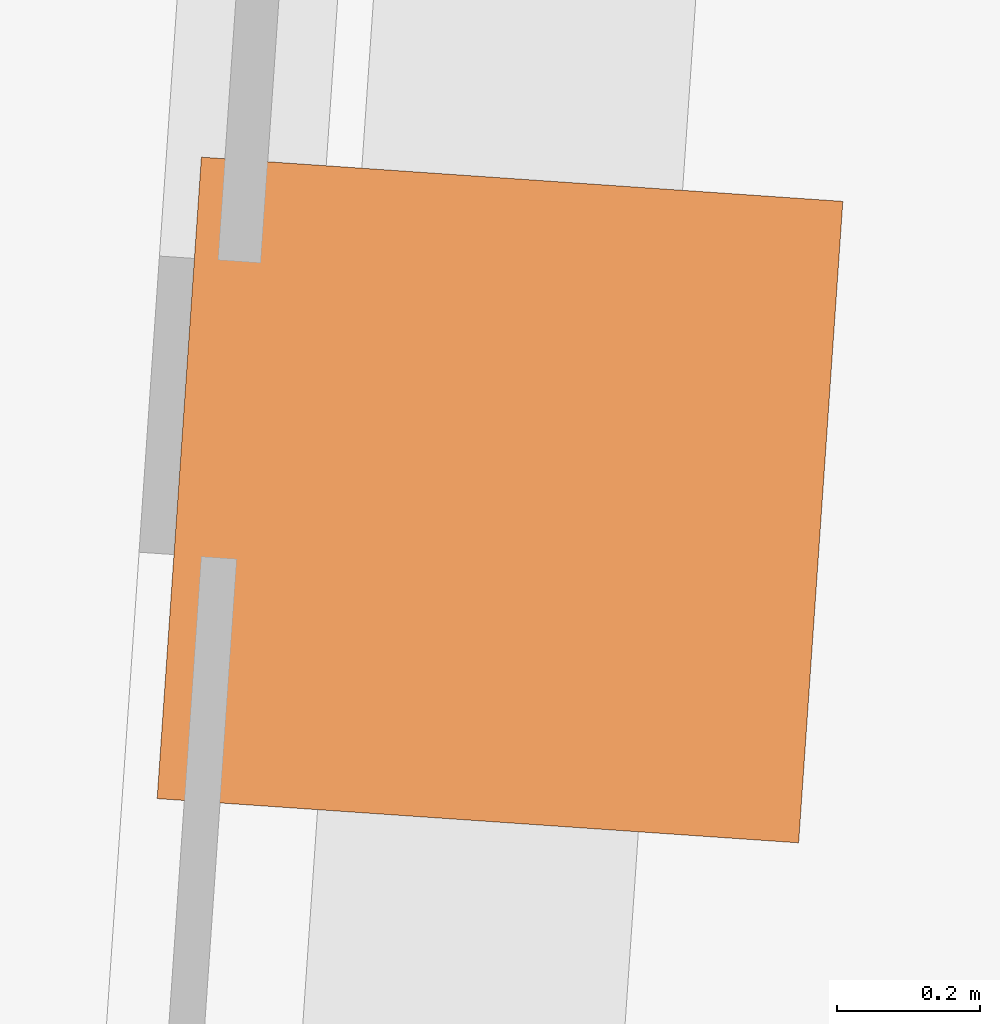
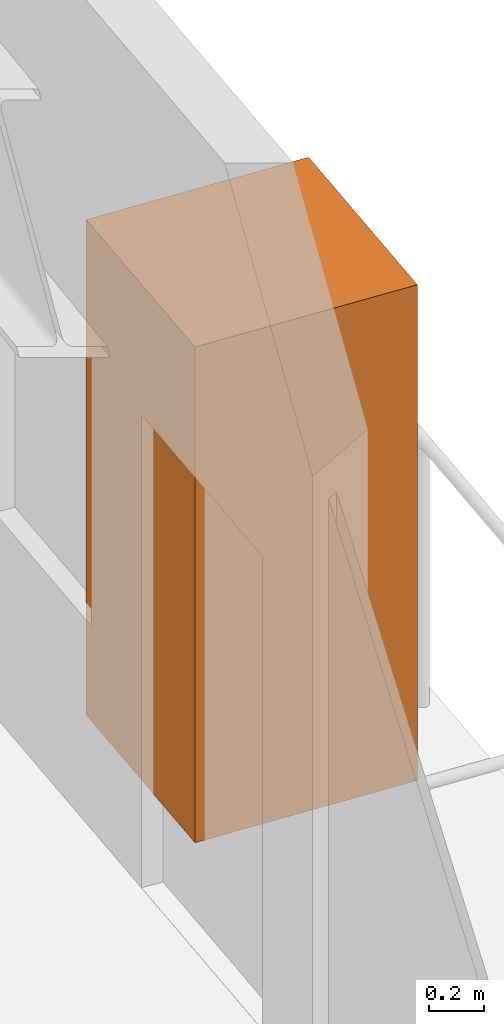
# One storey, part 12 of 12: 1 geographic element.
"""IFC4 building model written with IfcOpenShell, lengths in metres."""

from ifc_helpers import new_model, si_unit, direction, frame, origin, origin_2d, place, context, subcontext, project, spatial, rectangle, extrude, material, type_object, element, save


model = new_model("IFC4")

# Units and contexts
model_context = context("Model", 3, precision=1e-05, world=origin(), true_north=direction((0.0, 1.0)))
body_context = subcontext(model_context, "Body", "Model", "MODEL_VIEW")
ifc_project = project(units=[si_unit("LENGTHUNIT", "METRE"), si_unit("AREAUNIT", "SQUARE_METRE"), si_unit("VOLUMEUNIT", "CUBIC_METRE"), si_unit("PLANEANGLEUNIT", "RADIAN"), si_unit("MASSUNIT", "GRAM", prefix="KILO")], contexts=[model_context])

# Site, building, storey
site_placement = place(None, origin())
site = spatial("IfcSite", under=ifc_project, at=site_placement, CompositionType="ELEMENT")
building_placement = place(site_placement, origin())
building = spatial("IfcBuilding", under=site, at=building_placement, Name="Verdant Reach Tower", CompositionType="ELEMENT")
storey_placement = place(building_placement, frame((0.0, 0.0, 242.0)))
storey = spatial("IfcBuildingStorey", under=building, at=storey_placement, Name="L55", CompositionType="ELEMENT", Elevation=242.0)

# Geographic element
ifc_material = material(Name="Planting")
geographic_element_type = type_object("IfcGeographicElementType", Name="EN-TREE", PredefinedType="USERDEFINED", material=ifc_material)
geographic_element_placement = place(storey_placement, frame((24.17626953125, 58.304931640625, 0.39990234375), z_axis=(0.0, 0.0, 1.0), x_axis=(0.068802091615, 0.997630328423, 0.0)))
element("IfcGeographicElement", 1, at=geographic_element_placement, inside=storey, type_object=geographic_element_type, Name="Balcony tree, Surinam cherry (Eugenia uniflora), L55 1", ObjectType="TREE", PredefinedType="USERDEFINED", context=body_context, shape_type="SweptSolid", body=[
    extrude(rectangle(XDim=0.89990234375, YDim=0.89990234375, at=origin_2d()), origin(), (0.0, 0.0, 1.0), 2.199951171875),
])

save(model, "model.ifc")
